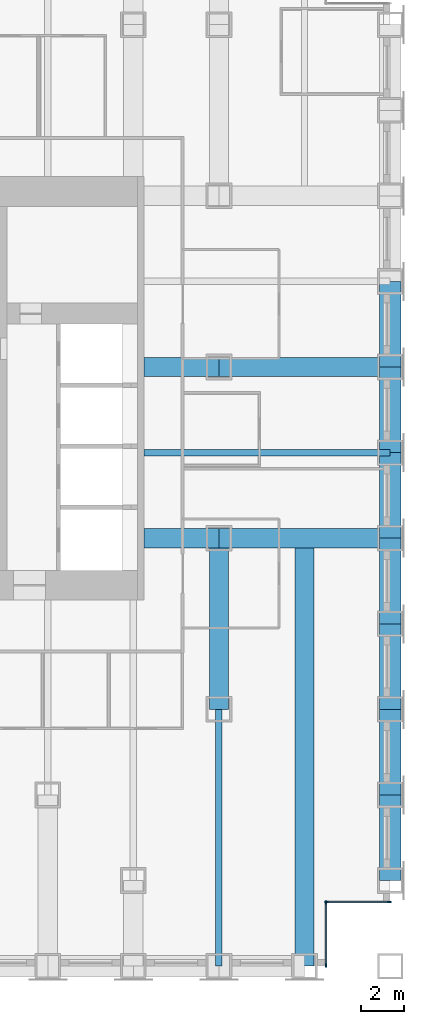
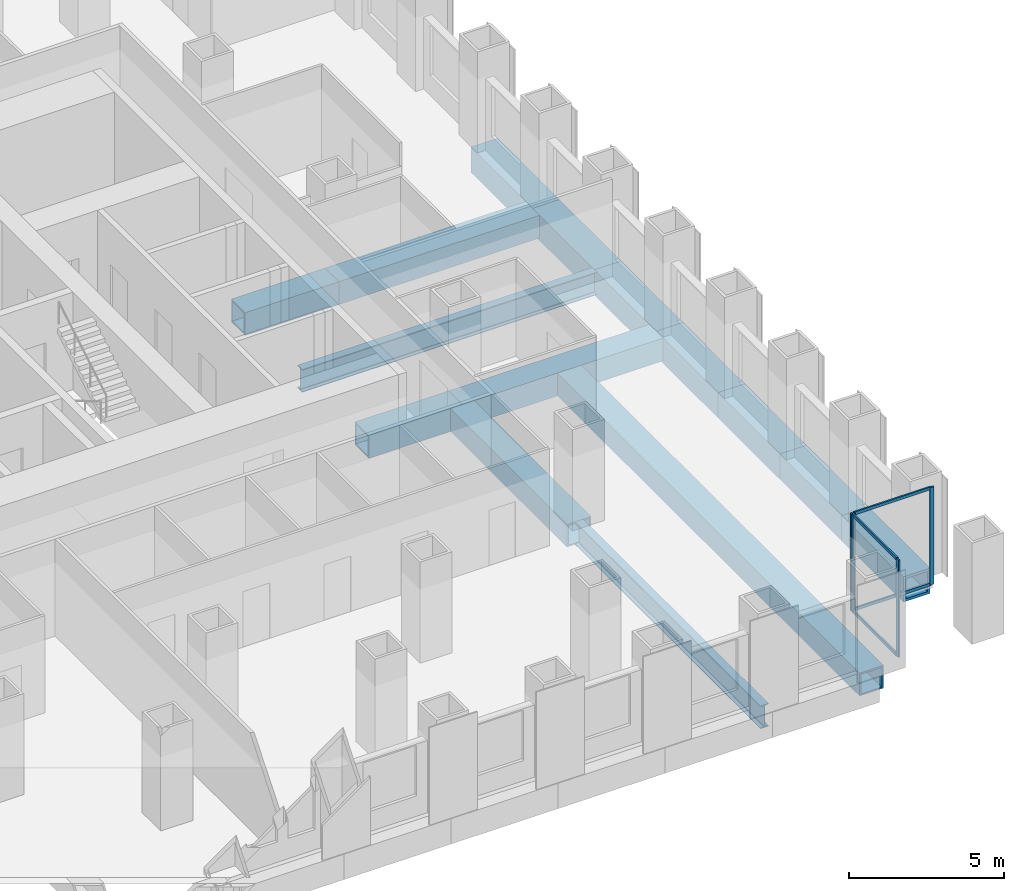
# One storey, part 4 of 14: 15 beams, 8 members, 2 elements without a shape of their own.
"""IFC4 building model written with IfcOpenShell, lengths in metres."""

import ifcopenshell
import ifcopenshell.guid

model = None  # the IFC model being written
_history = None  # IfcOwnerHistory: only IFC2X3 demands one
_inside = {}  # id of a spatial element -> (the spatial element, [elements in it])
_under = {}  # id of a project, library or spatial element -> (it, [spatial elements below it])
_declared = {}  # id of a project -> (the project, [libraries it declares])
_typed = {}  # id of a type object -> (the type object, [elements of that type])
_made_of = {}  # id of a material, layer set ... -> (it, [elements and type objects made of it])


def new_model(schema):
    """Start an empty IFC model of exactly this schema.

    Asked for "IFC4X3", IfcOpenShell would pick the latest addendum, in which some entities
    have other attributes; the version numbers below select the first issue.
    IFC2X3 requires an IfcOwnerHistory on every rooted entity: one is made here for all.
    """
    global model, _history
    if schema == "IFC4X3":
        model = ifcopenshell.file(schema_version=(4, 3, 0, 0))
    else:
        model = ifcopenshell.file(schema=schema)
    _inside.clear()
    _under.clear()
    _declared.clear()
    _typed.clear()
    _made_of.clear()
    _history = None
    if model.schema == "IFC2X3":
        org = make("IfcOrganization", Name="unknown")
        user = make(
            "IfcPersonAndOrganization",
            ThePerson=make("IfcPerson", FamilyName="unknown"),
            TheOrganization=org,
        )
        app = make(
            "IfcApplication",
            ApplicationDeveloper=org,
            Version="unknown",
            ApplicationFullName="unknown",
            ApplicationIdentifier="unknown",
        )
        _history = make(
            "IfcOwnerHistory",
            OwningUser=user,
            OwningApplication=app,
            ChangeAction="ADDED",
            CreationDate=0,
        )
    return model


def make(cls, **values):
    """One entity of the class cls with the attributes given. An attribute that is None is left unset."""
    return model.create_entity(
        cls, **{name: value for name, value in values.items() if value is not None}
    )


def rooted(cls, **values):
    """An entity with a GlobalId (a new one), such as an element, a storey or a relation."""
    return make(cls, GlobalId=ifcopenshell.guid.new(), OwnerHistory=_history, **values)


def si_unit(unit_type, name, prefix=None):
    """IfcSIUnit, for example si_unit("LENGTHUNIT", "METRE", prefix="MILLI")."""
    return make("IfcSIUnit", UnitType=unit_type, Prefix=prefix, Name=name)


def assignment(units):
    """IfcUnitAssignment: the units of a project."""
    return None if units is None else make("IfcUnitAssignment", Units=units)


def point(xyz):
    """IfcCartesianPoint."""
    return None if xyz is None else make("IfcCartesianPoint", Coordinates=xyz)


def direction(xyz):
    """IfcDirection."""
    return None if xyz is None else make("IfcDirection", DirectionRatios=xyz)


def frame(location, z_axis=None, x_axis=None):
    """IfcAxis2Placement3D, a coordinate frame: its origin and axes. An axis left out is left unset."""
    return make(
        "IfcAxis2Placement3D",
        Location=point(location),
        Axis=direction(z_axis),
        RefDirection=direction(x_axis),
    )


def frame_2d(location, x_axis=None):
    """IfcAxis2Placement2D, a coordinate frame in the plane: its origin and x axis."""
    return make(
        "IfcAxis2Placement2D", Location=point(location), RefDirection=direction(x_axis)
    )


def origin():
    """The frame at (0, 0, 0) with its axes left unset."""
    return frame((0.0, 0.0, 0.0))


def origin_2d():
    """The frame at (0, 0) in the plane with its x axis left unset."""
    return frame_2d((0.0, 0.0))


def place(relative_to, where):
    """IfcLocalPlacement: puts the frame where relative to a parent placement (None: the world)."""
    return make(
        "IfcLocalPlacement", PlacementRelTo=relative_to, RelativePlacement=where
    )


def context(
    kind, dimensions, precision=None, world=None, true_north=None, identifier=None
):
    """IfcGeometricRepresentationContext, for example the 3D "Model" context."""
    return make(
        "IfcGeometricRepresentationContext",
        ContextIdentifier=identifier,
        ContextType=kind,
        CoordinateSpaceDimension=dimensions,
        Precision=precision,
        WorldCoordinateSystem=world,
        TrueNorth=true_north,
    )


def subcontext(parent, identifier, kind, view, scale=None):
    """IfcGeometricRepresentationSubContext, for example "Body" below "Model"."""
    return make(
        "IfcGeometricRepresentationSubContext",
        ContextIdentifier=identifier,
        ContextType=kind,
        ParentContext=parent,
        TargetScale=scale,
        TargetView=view,
    )


def project(units=None, contexts=None):
    """IfcProject with its units and contexts."""
    return rooted(
        "IfcProject",
        Name="project",
        RepresentationContexts=contexts,
        UnitsInContext=assignment(units),
    )


def spatial(cls, under=None, at=None, **own):
    """A site, building, storey or space (cls), placed at a placement, below another one or the project."""
    s = rooted(cls, ObjectPlacement=at, **own)
    if under is not None:
        _under.setdefault(under.id(), (under, []))[1].append(s)
    return s


def profile(cls, at=None, kind="AREA", **sizes):
    """A parametric profile (cls). Its sizes go by their IFC names, for example OverallWidth=200.0."""
    return make(cls, ProfileType=kind, Position=at, **sizes)


def rectangle(**sizes):
    """IfcRectangleProfileDef."""
    return profile("IfcRectangleProfileDef", **sizes)


def hollow_rectangle(**sizes):
    """IfcRectangleHollowProfileDef."""
    return profile("IfcRectangleHollowProfileDef", **sizes)


def i_section(**sizes):
    """IfcIShapeProfileDef."""
    return profile("IfcIShapeProfileDef", **sizes)


def extrude(swept, where, along, depth):
    """IfcExtrudedAreaSolid: the profile swept, set in the frame where, extruded along a direction by depth."""
    return make(
        "IfcExtrudedAreaSolid",
        SweptArea=swept,
        Position=where,
        ExtrudedDirection=direction(along),
        Depth=depth,
    )


def shape(context_of_items, identifier, shape_type, items):
    """IfcShapeRepresentation: the items that make up one representation, for example the "Body"."""
    return make(
        "IfcShapeRepresentation",
        ContextOfItems=context_of_items,
        RepresentationIdentifier=identifier,
        RepresentationType=shape_type,
        Items=items,
    )


def material(Name=None, Category=None):
    """IfcMaterial."""
    return make("IfcMaterial", Name=Name, Category=Category)


def material_profile(
    of_material, cross_section, Name=None, Category=None, Priority=None
):
    """IfcMaterialProfile: a cross section and its material."""
    return make(
        "IfcMaterialProfile",
        Name=Name,
        Material=of_material,
        Profile=cross_section,
        Priority=Priority,
        Category=Category,
    )


def profile_set(profiles, Name=None, composite=None):
    """IfcMaterialProfileSet."""
    return make(
        "IfcMaterialProfileSet",
        Name=Name,
        MaterialProfiles=profiles,
        CompositeProfile=composite,
    )


def made_of(thing, what):
    """Note that an element or type object is made of a material, layer set ...; save() writes the relation."""
    if what is not None:
        _made_of.setdefault(what.id(), (what, []))[1].append(thing)
    return thing


def type_object(cls, material=None, **own):
    """A type object (cls), such as IfcWallType, which elements share."""
    return made_of(rooted(cls, **own), material)


def element(
    cls,
    number,
    at=None,
    inside=None,
    cuts=None,
    type_object=None,
    material=None,
    context=None,
    identifier="Body",
    shape_type=None,
    held_by="IfcProductDefinitionShape",
    body=None,
    shapes=None,
    **own,
):
    """One element of the class cls, such as IfcWall. Its Tag is "e" and its number.

    at: its placement. inside: the storey or other place that contains it. cuts: it is an
    opening in that element (IfcRelVoidsElement). A single representation is given by context,
    identifier, shape_type and body (its items); several are given by shapes. held_by: the class
    of the entity that holds the representations. save() writes the other relations.
    """
    e = rooted(cls, Tag="e%d" % number, ObjectPlacement=at, **own)
    if body is not None:
        shapes = [shape(context, identifier, shape_type, body)]
    if shapes is not None:
        e.Representation = make(held_by, Representations=shapes)
    if inside is not None:
        _inside.setdefault(inside.id(), (inside, []))[1].append(e)
    if cuts is not None:
        rooted(
            "IfcRelVoidsElement", RelatingBuildingElement=cuts, RelatedOpeningElement=e
        )
    if type_object is not None:
        _typed.setdefault(type_object.id(), (type_object, []))[1].append(e)
    return made_of(e, material)


def aggregate(whole, parts):
    """IfcRelAggregates: a whole, such as a stair, and the parts it consists of."""
    return rooted("IfcRelAggregates", RelatingObject=whole, RelatedObjects=parts)


def save(model, path):
    """Write the relations noted so far, then the file.

    IfcRelAggregates (storeys below a building ...), IfcRelContainedInSpatialStructure (elements
    in a storey), IfcRelDefinesByType, IfcRelAssociatesMaterial and IfcRelDeclares: one each for
    every whole, place, type object, material and project.
    """
    for whole, parts in _under.values():
        aggregate(whole, parts)
    for where, things in _inside.values():
        rooted(
            "IfcRelContainedInSpatialStructure",
            RelatedElements=things,
            RelatingStructure=where,
        )
    for kind, things in _typed.values():
        rooted("IfcRelDefinesByType", RelatedObjects=things, RelatingType=kind)
    for what, things in _made_of.values():
        rooted("IfcRelAssociatesMaterial", RelatedObjects=things, RelatingMaterial=what)
    for by, libraries in _declared.values():
        rooted("IfcRelDeclares", RelatingContext=by, RelatedDefinitions=libraries)
    model.write(path)


model = new_model("IFC4")

# Units and contexts
model_context = context("Model", 3, precision=1e-05, world=origin(), true_north=direction((0.0, 1.0)))
body_context = subcontext(model_context, "Body", "Model", "MODEL_VIEW")
ifc_project = project(units=[si_unit("LENGTHUNIT", "METRE"), si_unit("AREAUNIT", "SQUARE_METRE"), si_unit("VOLUMEUNIT", "CUBIC_METRE"), si_unit("PLANEANGLEUNIT", "RADIAN"), si_unit("MASSUNIT", "GRAM", prefix="KILO")], contexts=[model_context])

# Site, building, storey
site_placement = place(None, origin())
site = spatial("IfcSite", under=ifc_project, at=site_placement, CompositionType="ELEMENT")
building_placement = place(site_placement, origin())
building = spatial("IfcBuilding", under=site, at=building_placement, Name="Rimbunsela Tower", CompositionType="ELEMENT")
storey_placement = place(building_placement, frame((0.0, 0.0, 59.0)))
storey = spatial("IfcBuildingStorey", under=building, at=storey_placement, Name="L14", CompositionType="ELEMENT", Elevation=59.0)

# Beams
ifc_material_1 = material(Name="Steel BJ 55 (fy 410 MPa)", Category="steel")
ifc_material_profile_1 = material_profile(ifc_material_1, hollow_rectangle(XDim=1.0, YDim=1.0, WallThickness=0.10009765625, at=origin_2d()), Name="BOX 1000x1000x100")
ifc_profile_set_1 = profile_set([ifc_material_profile_1], Name="Steel BJ 55 (fy 410 MPa)")
beam_type_1 = type_object("IfcBeamType", Name="Beam BOX 1000x1000x100", PredefinedType="BEAM", material=ifc_profile_set_1)
for number, where, z_axis, x_axis, name in (
    (1, (54.0, 4.0, -0.64990234375), (0.0, 1.0, 0.0), (-1.0, 0.0, 0.0), "Beam B3 L14"),
    (2, (54.0, 8.0, -0.64990234375), (0.0, 1.0, 0.0), (-1.0, 0.0, 0.0), "Beam B3 L14"),
    (3, (54.0, 12.0, -0.64990234375), (0.0, 1.0, 0.0), (-1.0, 0.0, 0.0), "Beam B3 L14"),
    (4, (54.0, 16.0, -0.64990234375), (0.0, 1.0, 0.0), (-1.0, 0.0, 0.0), "Beam B3 L14"),
    (5, (54.0, 20.0, -0.64990234375), (0.0, 1.0, 0.0), (-1.0, 0.0, 0.0), "Beam B3 L14"),
    (6, (54.0, 24.0, -0.64990234375), (0.0, 1.0, 0.0), (-1.0, 0.0, 0.0), "Beam B3 L14"),
    (7, (54.0, 28.0, -0.64990234375), (0.0, 1.0, 0.0), (-1.0, 0.0, 0.0), "Beam B3 L14"),
):
    element("IfcBeam", number, at=place(storey_placement, frame(where, z_axis=z_axis, x_axis=x_axis)), inside=storey, type_object=beam_type_1, Name=name, PredefinedType="BEAM", context=body_context, shape_type="SweptSolid", body=[
        extrude(hollow_rectangle(XDim=1.0, YDim=1.0, WallThickness=0.10009765625, at=origin_2d()), origin(), (0.0, 0.0, 1.0), 4.0),
    ])
ifc_material_2 = material(Name="Steel BJ 55 (fy 410 MPa)", Category="steel")
ifc_material_profile_2 = material_profile(ifc_material_2, hollow_rectangle(XDim=0.89990234375, YDim=0.89990234375, WallThickness=0.06005859375, at=origin_2d()), Name="BOX 900x900x60")
ifc_profile_set_2 = profile_set([ifc_material_profile_2], Name="Steel BJ 55 (fy 410 MPa)")
beam_type_2 = type_object("IfcBeamType", Name="Beam BOX 900x900x60", PredefinedType="BEAM", material=ifc_profile_set_2)
for number, where, z_axis, x_axis, name in (
    (8, (42.5, 20.0, -0.60009765625), (1.0, 0.0, 0.0), (0.0, 1.0, 0.0), "Beam B1 L14"),
    (9, (42.5, 28.0, -0.60009765625), (1.0, 0.0, 0.0), (0.0, 1.0, 0.0), "Beam B1 L14"),
):
    element("IfcBeam", number, at=place(storey_placement, frame(where, z_axis=z_axis, x_axis=x_axis)), inside=storey, type_object=beam_type_2, Name=name, PredefinedType="BEAM", context=body_context, shape_type="SweptSolid", body=[
        extrude(hollow_rectangle(XDim=0.89990234375, YDim=0.89990234375, WallThickness=0.06005859375, at=origin_2d()), origin(), (0.0, 0.0, 1.0), 3.5),
    ])
for number, where, z_axis, x_axis, name in (
    (10, (46.0, 12.0, -0.60009765625), (0.0, 1.0, 0.0), (-1.0, 0.0, 0.0), "Beam B1 L14"),
    (11, (46.0, 20.0, -0.60009765625), (1.0, 0.0, 0.0), (0.0, 1.0, 0.0), "Beam B1 L14"),
    (12, (46.0, 28.0, -0.60009765625), (1.0, 0.0, 0.0), (0.0, 1.0, 0.0), "Beam B1 L14"),
):
    element("IfcBeam", number, at=place(storey_placement, frame(where, z_axis=z_axis, x_axis=x_axis)), inside=storey, type_object=beam_type_2, Name=name, PredefinedType="BEAM", context=body_context, shape_type="SweptSolid", body=[
        extrude(hollow_rectangle(XDim=0.89990234375, YDim=0.89990234375, WallThickness=0.06005859375, at=origin_2d()), origin(), (0.0, 0.0, 1.0), 8.0),
    ])
beam_1_placement = place(storey_placement, frame((50.0, 0.0, -0.60009765625), z_axis=(0.0, 1.0, 0.0), x_axis=(-1.0, 0.0, 0.0)))
element("IfcBeam", 13, at=beam_1_placement, inside=storey, type_object=beam_type_2, Name="Beam B1 L14", PredefinedType="BEAM", context=body_context, shape_type="SweptSolid", body=[
    extrude(hollow_rectangle(XDim=0.89990234375, YDim=0.89990234375, WallThickness=0.06005859375, at=origin_2d()), origin(), (0.0, 0.0, 1.0), 19.550048828125),
])
ifc_material_3 = material(Name="Steel BJ 55 (fy 410 MPa)", Category="steel")
ifc_material_profile_3 = material_profile(ifc_material_3, i_section(OverallWidth=0.300048828125, OverallDepth=0.89990234375, WebThickness=0.01611328125, FlangeThickness=0.028076171875, FilletRadius=0.028076171875, at=origin_2d()), Name="H 900x300x16x28")
ifc_profile_set_3 = profile_set([ifc_material_profile_3], Name="Steel BJ 55 (fy 410 MPa)")
beam_type_3 = type_object("IfcBeamType", Name="Beam H 900x300x16x28", PredefinedType="BEAM", material=ifc_profile_set_3)
beam_2_placement = place(storey_placement, frame((42.5, 24.0, -0.60009765625), z_axis=(1.0, 0.0, 0.0), x_axis=(0.0, 1.0, 0.0)))
element("IfcBeam", 14, at=beam_2_placement, inside=storey, type_object=beam_type_3, Name="Beam B2 L14", PredefinedType="BEAM", context=body_context, shape_type="SweptSolid", body=[
    extrude(i_section(OverallWidth=0.300048828125, OverallDepth=0.89990234375, WebThickness=0.01611328125, FlangeThickness=0.028076171875, FilletRadius=0.028076171875, at=origin_2d()), origin(), (0.0, 0.0, 1.0), 11.5),
])
beam_3_placement = place(storey_placement, frame((46.0, 0.0, -0.60009765625), z_axis=(0.0, 1.0, 0.0), x_axis=(-1.0, 0.0, 0.0)))
element("IfcBeam", 15, at=beam_3_placement, inside=storey, type_object=beam_type_3, Name="Beam B2 L14", PredefinedType="BEAM", context=body_context, shape_type="SweptSolid", body=[
    extrude(i_section(OverallWidth=0.300048828125, OverallDepth=0.89990234375, WebThickness=0.01611328125, FlangeThickness=0.028076171875, FilletRadius=0.028076171875, at=origin_2d()), origin(), (0.0, 0.0, 1.0), 12.0),
])

# Curtain wall, members
ifc_material_4 = material(Name="Aluminium curtain wall", Category="aluminium")
curtain_wall_type = type_object("IfcCurtainWallType", Name="Corner glazing", PredefinedType="USERDEFINED", material=ifc_material_4)
curtain_wall_1_placement = place(storey_placement, origin())
curtain_wall_1 = element("IfcCurtainWall", 16, at=curtain_wall_1_placement, inside=storey, type_object=curtain_wall_type, Name="Corner glazing L14", ObjectType="CORNER GLAZING", PredefinedType="USERDEFINED")
ifc_material_5 = material(Name="Aluminium mullion", Category="aluminium")
ifc_material_profile_4 = material_profile(ifc_material_5, rectangle(XDim=0.06005859375, YDim=0.159912109375, at=origin_2d()), Name="Mullion 60x160")
ifc_profile_set_4 = profile_set([ifc_material_profile_4], Name="Aluminium mullion")
member_type_1 = type_object("IfcMemberType", Name="Curtain wall mullion 60x160", PredefinedType="MULLION", material=ifc_profile_set_4)
member_1_placement = place(storey_placement, frame((51.0, 0.030029296875, 0.0), z_axis=(0.0, 0.0, 1.0), x_axis=(-1.0, 0.0, 0.0)))
member_1 = element("IfcMember", 17, at=member_1_placement, type_object=member_type_1, Name="CW5 mullion 1", PredefinedType="MULLION", context=body_context, shape_type="SweptSolid", body=[
    extrude(rectangle(XDim=0.06005859375, YDim=0.159912109375, at=origin_2d()), origin(), (0.0, 0.0, 1.0), 3.85009765625),
])
member_2_placement = place(storey_placement, frame((51.0, 2.969970703125, 0.0), z_axis=(0.0, 0.0, 1.0), x_axis=(-1.0, 0.0, 0.0)))
member_2 = element("IfcMember", 18, at=member_2_placement, type_object=member_type_1, Name="CW5 mullion 2", PredefinedType="MULLION", context=body_context, shape_type="SweptSolid", body=[
    extrude(rectangle(XDim=0.06005859375, YDim=0.159912109375, at=origin_2d()), origin(), (0.0, 0.0, 1.0), 3.85009765625),
])

curtain_wall_2_placement = place(storey_placement, origin())
curtain_wall_2 = element("IfcCurtainWall", 19, at=curtain_wall_2_placement, inside=storey, type_object=curtain_wall_type, Name="Corner glazing L14", ObjectType="CORNER GLAZING", PredefinedType="USERDEFINED")
member_3_placement = place(storey_placement, frame((51.030029296875, 3.0, 0.0), z_axis=(0.0, 0.0, 1.0), x_axis=(0.0, 1.0, 0.0)))
member_3 = element("IfcMember", 20, at=member_3_placement, type_object=member_type_1, Name="CW5 mullion 1", PredefinedType="MULLION", context=body_context, shape_type="SweptSolid", body=[
    extrude(rectangle(XDim=0.06005859375, YDim=0.159912109375, at=origin_2d()), origin(), (0.0, 0.0, 1.0), 3.85009765625),
])
member_4_placement = place(storey_placement, frame((53.969970703125, 3.0, 0.0), z_axis=(0.0, 0.0, 1.0), x_axis=(0.0, 1.0, 0.0)))
member_4 = element("IfcMember", 21, at=member_4_placement, type_object=member_type_1, Name="CW5 mullion 2", PredefinedType="MULLION", context=body_context, shape_type="SweptSolid", body=[
    extrude(rectangle(XDim=0.06005859375, YDim=0.159912109375, at=origin_2d()), origin(), (0.0, 0.0, 1.0), 3.85009765625),
])

# Member
ifc_material_6 = material(Name="Aluminium transom", Category="aluminium")
ifc_material_profile_5 = material_profile(ifc_material_6, rectangle(XDim=0.06005859375, YDim=0.1201171875, at=origin_2d()), Name="Transom 60x120")
ifc_profile_set_5 = profile_set([ifc_material_profile_5], Name="Aluminium transom")
member_type_2 = type_object("IfcMemberType", Name="Curtain wall transom 60x120", PredefinedType="USERDEFINED", material=ifc_profile_set_5)
member_5_placement = place(storey_placement, frame((51.0, 0.06005859375, 0.030029296875), z_axis=(0.0, 1.0, 0.0), x_axis=(-1.0, 0.0, 0.0)))
member_5 = element("IfcMember", 22, at=member_5_placement, type_object=member_type_2, Name="CW5 transom 1.1", ObjectType="TRANSOM", PredefinedType="USERDEFINED", context=body_context, shape_type="SweptSolid", body=[
    extrude(rectangle(XDim=0.06005859375, YDim=0.1201171875, at=origin_2d()), origin(), (0.0, 0.0, 1.0), 2.8798828125),
])

member_6_placement = place(storey_placement, frame((51.0, 0.06005859375, 3.820068359375), z_axis=(0.0, 1.0, 0.0), x_axis=(-1.0, 0.0, 0.0)))
member_6 = element("IfcMember", 23, at=member_6_placement, type_object=member_type_2, Name="CW5 transom 1.2", ObjectType="TRANSOM", PredefinedType="USERDEFINED", context=body_context, shape_type="SweptSolid", body=[
    extrude(rectangle(XDim=0.06005859375, YDim=0.1201171875, at=origin_2d()), origin(), (0.0, 0.0, 1.0), 2.8798828125),
])

aggregate(curtain_wall_1, [member_1, member_2, member_5, member_6])

member_7_placement = place(storey_placement, frame((51.06005859375, 3.0, 0.030029296875), z_axis=(1.0, 0.0, 0.0), x_axis=(0.0, 1.0, 0.0)))
member_7 = element("IfcMember", 24, at=member_7_placement, type_object=member_type_2, Name="CW5 transom 1.1", ObjectType="TRANSOM", PredefinedType="USERDEFINED", context=body_context, shape_type="SweptSolid", body=[
    extrude(rectangle(XDim=0.06005859375, YDim=0.1201171875, at=origin_2d()), origin(), (0.0, 0.0, 1.0), 2.8798828125),
])

member_8_placement = place(storey_placement, frame((51.06005859375, 3.0, 3.820068359375), z_axis=(1.0, 0.0, 0.0), x_axis=(0.0, 1.0, 0.0)))
member_8 = element("IfcMember", 25, at=member_8_placement, type_object=member_type_2, Name="CW5 transom 1.2", ObjectType="TRANSOM", PredefinedType="USERDEFINED", context=body_context, shape_type="SweptSolid", body=[
    extrude(rectangle(XDim=0.06005859375, YDim=0.1201171875, at=origin_2d()), origin(), (0.0, 0.0, 1.0), 2.8798828125),
])

aggregate(curtain_wall_2, [member_3, member_4, member_7, member_8])

save(model, "model.ifc")
